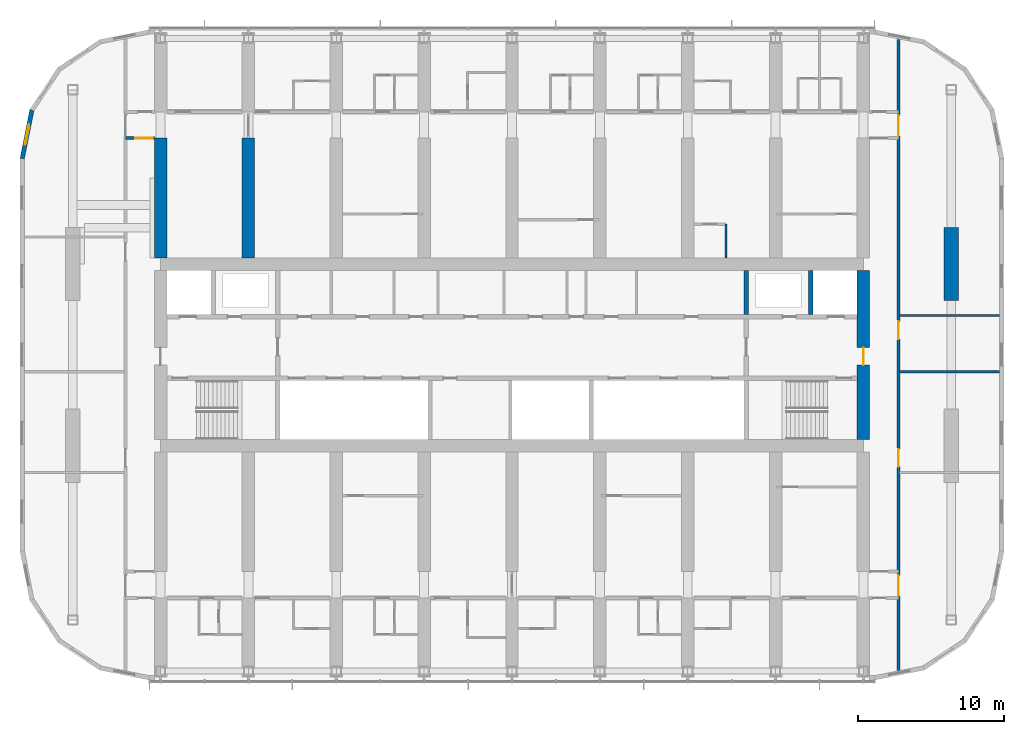
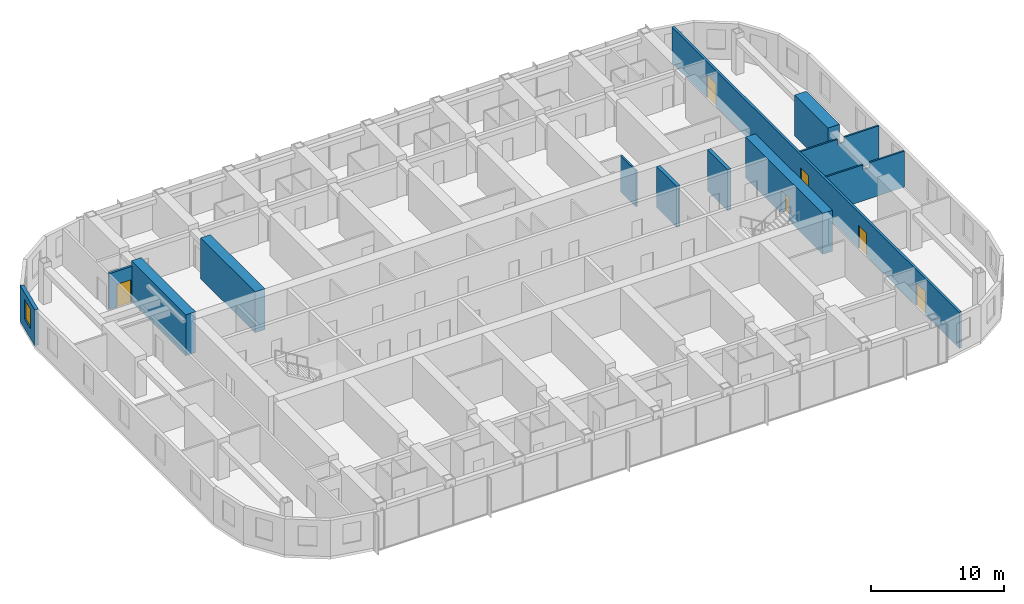
# One storey, part 14 of 22: 12 walls, 6 doors, 1 window, 7 openings.
"""IFC4 building model written with IfcOpenShell, lengths in metres."""

from ifc_helpers import new_model, si_unit, direction, frame, frame_2d, origin, place, context, subcontext, project, spatial, polyline, rectangle, outline, extrude, material, layer, layer_set, type_object, element, fill, save


model = new_model("IFC4")

# Units and contexts
model_context = context("Model", 3, precision=1e-05, world=origin(), true_north=direction((0.0, 1.0)))
body_context = subcontext(model_context, "Body", "Model", "MODEL_VIEW")
ifc_project = project(units=[si_unit("LENGTHUNIT", "METRE"), si_unit("AREAUNIT", "SQUARE_METRE"), si_unit("VOLUMEUNIT", "CUBIC_METRE"), si_unit("PLANEANGLEUNIT", "RADIAN"), si_unit("MASSUNIT", "GRAM", prefix="KILO")], contexts=[model_context])

# Site, building, storey
site_placement = place(None, origin())
site = spatial("IfcSite", under=ifc_project, at=site_placement, CompositionType="ELEMENT")
building_placement = place(site_placement, origin())
building = spatial("IfcBuilding", under=site, at=building_placement, Name="Orbita Commons", CompositionType="ELEMENT")
storey_placement = place(building_placement, frame((0.0, 0.0, 159.85009765625)))
storey = spatial("IfcBuildingStorey", under=building, at=storey_placement, Name="L39", CompositionType="ELEMENT", Elevation=159.85009765625)

# Walls
ifc_material_1 = material(Name="Concrete C50/60", Category="concrete")
ifc_layer_1 = layer(ifc_material_1, 0.300048828125)
ifc_layer_set_1 = layer_set([ifc_layer_1], Name="Concrete C50/60")
wall_type_1 = type_object("IfcWallType", Name="Core inner wall 300 C50/60", PredefinedType="SHEAR", material=ifc_layer_set_1)
for number, where, z_axis, x_axis, name in (
    (1, (62.39990234375, 34.75, 0.0), (0.0, 0.0, 1.0), (0.0, 1.0, 0.0), "Firefighting lift FL2 shaft wall L39"),
    (2, (58.0, 34.75, 0.0), (0.0, 0.0, 1.0), (0.0, 1.0, 0.0), "Riser wall east L39"),
):
    element("IfcWall", number, at=place(storey_placement, frame(where, z_axis=z_axis, x_axis=x_axis)), inside=storey, type_object=wall_type_1, Name=name, PredefinedType="SHEAR", context=body_context, shape_type="SweptSolid", body=[
        extrude(rectangle(XDim=3.02490234375, YDim=0.300048828125, at=frame_2d((1.512451171875, 0.0))), origin(), (0.0, 0.0, 1.0), 3.75),
    ])

# Wall, opening, door
ifc_material_2 = material(Name="Concrete C50/60", Category="concrete")
ifc_layer_2 = layer(ifc_material_2, 0.85009765625)
ifc_layer_set_2 = layer_set([ifc_layer_2], Name="Concrete C50/60")
wall_type_2 = type_object("IfcWallType", Name="Core wall 850 C50/60", PredefinedType="SHEAR", material=ifc_layer_set_2)
wall_1_placement = place(storey_placement, frame((66.0, 26.22509765625, 0.0), z_axis=(0.0, 0.0, 1.0), x_axis=(0.0, 1.0, 0.0)))
wall_1 = element("IfcWall", 3, at=wall_1_placement, inside=storey, type_object=wall_type_2, Name="Core end wall east L39", PredefinedType="SHEAR", context=body_context, shape_type="SweptSolid", body=[
    extrude(rectangle(XDim=11.5498046875, YDim=0.85009765625, at=frame_2d((5.77490234375, 0.0))), origin(), (0.0, 0.0, 1.0), 3.75),
])
opening_1_placement = place(wall_1_placement, frame((5.074951171875, 0.0, 0.0)))
opening_1 = element("IfcOpeningElement", 4, at=opening_1_placement, cuts=wall_1, Name="Opening D01", PredefinedType="OPENING", context=body_context, shape_type="SweptSolid", body=[
    extrude(rectangle(XDim=1.199951171875, YDim=2.10009765625, at=frame_2d((0.60009765625, 1.050048828125))), frame((0.0, 0.43505859375, 0.0), z_axis=(0.0, -1.0, 0.0), x_axis=(1.0, 0.0, 0.0)), (0.0, 0.0, 1.0), 0.8701171875),
])
ifc_material_3 = material(Name="Steel-faced fire door leaf", Category="steel")
door_type_1 = type_object("IfcDoorType", Name="Fire door 90 min 1200x2100", OperationType="SINGLE_SWING_LEFT", PredefinedType="DOOR", material=ifc_material_3)
door_1_placement = place(opening_1_placement, origin())
door_1 = element("IfcDoor", 5, at=door_1_placement, inside=storey, type_object=door_type_1, Name="Firefighting lobby east door", OperationType="SINGLE_SWING_LEFT", OverallHeight=2.10009765625, OverallWidth=1.199951171875, PredefinedType="DOOR", context=body_context, shape_type="SweptSolid", body=[
    extrude(rectangle(XDim=1.199951171875, YDim=2.10009765625, at=frame_2d((0.60009765625, 1.050048828125))), frame((0.0, 0.02490234375, 0.0), z_axis=(0.0, -1.0, 0.0), x_axis=(1.0, 0.0, 0.0)), (0.0, 0.0, 1.0), 0.050048828125),
])
fill(opening_1, door_1)

# Wall, openings, doors
ifc_material_4 = material(Name="Concrete blockwork", Category="masonry")
ifc_layer_3 = layer(ifc_material_4, 0.199951171875)
ifc_layer_set_3 = layer_set([ifc_layer_3], Name="Concrete blockwork")
wall_type_3 = type_object("IfcWallType", Name="Corridor wall 200 blockwork", PredefinedType="SOLIDWALL", material=ifc_layer_set_3)
wall_2_placement = place(storey_placement, frame((68.39990234375, 10.4462890625, 0.0), z_axis=(0.0, 0.0, 1.0), x_axis=(0.0, 1.0, 0.0)))
wall_2 = element("IfcWall", 6, at=wall_2_placement, inside=storey, type_object=wall_type_3, Name="Corridor wall 200 blockwork L39", PredefinedType="SOLIDWALL", context=body_context, shape_type="SweptSolid", body=[
    extrude(rectangle(XDim=43.107421875, YDim=0.199951171875, at=frame_2d((21.5537109375, 0.0))), origin(), (0.0, 0.0, 1.0), 3.2998046875),
])
opening_2_placement = place(wall_2_placement, frame((13.913818359375, 0.0, 0.0)))
opening_2 = element("IfcOpeningElement", 7, at=opening_2_placement, cuts=wall_2, Name="Opening D15", PredefinedType="OPENING", context=body_context, shape_type="SweptSolid", body=[
    extrude(rectangle(XDim=1.199951171875, YDim=2.10009765625, at=frame_2d((0.60009765625, 1.050048828125))), frame((0.0, 0.10986328125, 0.0), z_axis=(0.0, -1.0, 0.0), x_axis=(1.0, 0.0, 0.0)), (0.0, 0.0, 1.0), 0.219970703125),
])
opening_3_placement = place(wall_2_placement, frame((22.6337890625, 0.0, 0.0)))
opening_3 = element("IfcOpeningElement", 8, at=opening_3_placement, cuts=wall_2, Name="Opening D15", PredefinedType="OPENING", context=body_context, shape_type="SweptSolid", body=[
    extrude(rectangle(XDim=1.199951171875, YDim=2.10009765625, at=frame_2d((0.60009765625, 1.050048828125))), frame((0.0, 0.10986328125, 0.0), z_axis=(0.0, -1.0, 0.0), x_axis=(1.0, 0.0, 0.0)), (0.0, 0.0, 1.0), 0.219970703125),
])
opening_4_placement = place(wall_2_placement, frame((5.103759765625, 0.0, 0.0)))
opening_4 = element("IfcOpeningElement", 9, at=opening_4_placement, cuts=wall_2, Name="Opening D08", PredefinedType="OPENING", context=body_context, shape_type="SweptSolid", body=[
    extrude(rectangle(XDim=1.39990234375, YDim=2.10009765625, at=frame_2d((0.699951171875, 1.050048828125))), frame((0.0, 0.10986328125, 0.0), z_axis=(0.0, -1.0, 0.0), x_axis=(1.0, 0.0, 0.0)), (0.0, 0.0, 1.0), 0.219970703125),
])
opening_5_placement = place(wall_2_placement, frame((36.50390625, 0.0, 0.0)))
opening_5 = element("IfcOpeningElement", 10, at=opening_5_placement, cuts=wall_2, Name="Opening D08", PredefinedType="OPENING", context=body_context, shape_type="SweptSolid", body=[
    extrude(rectangle(XDim=1.39990234375, YDim=2.10009765625, at=frame_2d((0.699951171875, 1.050048828125))), frame((0.0, 0.10986328125, 0.0), z_axis=(0.0, -1.0, 0.0), x_axis=(1.0, 0.0, 0.0)), (0.0, 0.0, 1.0), 0.219970703125),
])
ifc_material_5 = material(Name="Steel-faced fire door leaf", Category="steel")
door_type_2 = type_object("IfcDoorType", Name="Corridor door 20 min 1200x2100", OperationType="SINGLE_SWING_LEFT", PredefinedType="DOOR", material=ifc_material_5)
door_2_placement = place(opening_2_placement, origin())
door_2 = element("IfcDoor", 11, at=door_2_placement, inside=storey, type_object=door_type_2, Name="Study hall door", OperationType="SINGLE_SWING_LEFT", OverallHeight=2.10009765625, OverallWidth=1.199951171875, PredefinedType="DOOR", context=body_context, shape_type="SweptSolid", body=[
    extrude(rectangle(XDim=1.199951171875, YDim=2.10009765625, at=frame_2d((0.60009765625, 1.050048828125))), frame((0.0, 0.02490234375, 0.0), z_axis=(0.0, -1.0, 0.0), x_axis=(1.0, 0.0, 0.0)), (0.0, 0.0, 1.0), 0.050048828125),
])
fill(opening_2, door_2)
door_3_placement = place(opening_3_placement, origin())
door_3 = element("IfcDoor", 12, at=door_3_placement, inside=storey, type_object=door_type_2, Name="Observatory lounge door", OperationType="SINGLE_SWING_LEFT", OverallHeight=2.10009765625, OverallWidth=1.199951171875, PredefinedType="DOOR", context=body_context, shape_type="SweptSolid", body=[
    extrude(rectangle(XDim=1.199951171875, YDim=2.10009765625, at=frame_2d((0.60009765625, 1.050048828125))), frame((0.0, 0.02490234375, 0.0), z_axis=(0.0, -1.0, 0.0), x_axis=(1.0, 0.0, 0.0)), (0.0, 0.0, 1.0), 0.050048828125),
])
fill(opening_3, door_3)
ifc_material_6 = material(Name="Steel-faced fire door leaf", Category="steel")
door_type_3 = type_object("IfcDoorType", Name="Double corridor door 20 min 1400x2100", OperationType="DOUBLE_DOOR_SINGLE_SWING", PredefinedType="DOOR", material=ifc_material_6)
door_4_placement = place(opening_4_placement, origin())
door_4 = element("IfcDoor", 13, at=door_4_placement, inside=storey, type_object=door_type_3, Name="Lounge doors", OperationType="DOUBLE_DOOR_SINGLE_SWING", OverallHeight=2.10009765625, OverallWidth=1.39990234375, PredefinedType="DOOR", context=body_context, shape_type="SweptSolid", body=[
    extrude(rectangle(XDim=1.39990234375, YDim=2.10009765625, at=frame_2d((0.699951171875, 1.050048828125))), frame((0.0, 0.02490234375, 0.0), z_axis=(0.0, -1.0, 0.0), x_axis=(1.0, 0.0, 0.0)), (0.0, 0.0, 1.0), 0.050048828125),
])
fill(opening_4, door_4)
door_5_placement = place(opening_5_placement, origin())
door_5 = element("IfcDoor", 14, at=door_5_placement, inside=storey, type_object=door_type_3, Name="Lounge doors", OperationType="DOUBLE_DOOR_SINGLE_SWING", OverallHeight=2.10009765625, OverallWidth=1.39990234375, PredefinedType="DOOR", context=body_context, shape_type="SweptSolid", body=[
    extrude(rectangle(XDim=1.39990234375, YDim=2.10009765625, at=frame_2d((0.699951171875, 1.050048828125))), frame((0.0, 0.02490234375, 0.0), z_axis=(0.0, -1.0, 0.0), x_axis=(1.0, 0.0, 0.0)), (0.0, 0.0, 1.0), 0.050048828125),
])
fill(opening_5, door_5)

# Wall, opening, door
ifc_material_7 = material(Name="Hollow concrete block 200", Category="concrete")
ifc_layer_4 = layer(ifc_material_7, 0.199951171875)
ifc_layer_set_4 = layer_set([ifc_layer_4], Name="Hollow concrete block 200")
wall_type_4 = type_object("IfcWallType", Name="Corridor wall 200 hollow concrete block", PredefinedType="SOLIDWALL", material=ifc_layer_set_4)
wall_3_placement = place(storey_placement, frame((15.60009765625, 46.800048828125, 0.0), z_axis=(0.0, 0.0, 1.0), x_axis=(1.0, 0.0, 0.0)))
wall_3 = element("IfcWall", 15, at=wall_3_placement, inside=storey, type_object=wall_type_4, Name="Corridor wall 200 hollow concrete block L39", PredefinedType="SOLIDWALL", context=body_context, shape_type="SweptSolid", body=[
    extrude(rectangle(XDim=1.974853515625, YDim=0.199951171875, at=frame_2d((0.9873046875, 0.0))), origin(), (0.0, 0.0, 1.0), 3.2998046875),
])
opening_6_placement = place(wall_3_placement, frame((0.675048828125, 0.0, 0.0)))
opening_6 = element("IfcOpeningElement", 16, at=opening_6_placement, cuts=wall_3, Name="Opening D12", PredefinedType="OPENING", context=body_context, shape_type="SweptSolid", body=[
    extrude(rectangle(XDim=1.199951171875, YDim=2.10009765625, at=frame_2d((0.60009765625, 1.050048828125))), frame((0.0, 0.10986328125, 0.0), z_axis=(0.0, -1.0, 0.0), x_axis=(1.0, 0.0, 0.0)), (0.0, 0.0, 1.0), 0.219970703125),
])
ifc_material_8 = material(Name="Steel-faced fire door leaf", Category="steel")
door_type_4 = type_object("IfcDoorType", Name="Double corridor door 20 min 1200x2100", OperationType="DOUBLE_DOOR_SINGLE_SWING", PredefinedType="DOOR", material=ifc_material_8)
door_6_placement = place(opening_6_placement, origin())
door_6 = element("IfcDoor", 17, at=door_6_placement, inside=storey, type_object=door_type_4, Name="Cross corridor doors", OperationType="DOUBLE_DOOR_SINGLE_SWING", OverallHeight=2.10009765625, OverallWidth=1.199951171875, PredefinedType="DOOR", context=body_context, shape_type="SweptSolid", body=[
    extrude(rectangle(XDim=1.199951171875, YDim=2.10009765625, at=frame_2d((0.60009765625, 1.050048828125))), frame((0.0, 0.02490234375, 0.0), z_axis=(0.0, -1.0, 0.0), x_axis=(1.0, 0.0, 0.0)), (0.0, 0.0, 1.0), 0.050048828125),
])
fill(opening_6, door_6)

# Walls
ifc_material_9 = material(Name="Concrete C50/60", Category="concrete")
ifc_layer_5 = layer(ifc_material_9, 0.85009765625)
ifc_layer_set_5 = layer_set([ifc_layer_5], Name="Concrete C50/60")
wall_type_5 = type_object("IfcWallType", Name="Cross wall 850 C50/60", PredefinedType="SHEAR", material=ifc_layer_set_5)
for number, where, z_axis, x_axis, name in (
    (18, (18.0, 38.625, 0.0), (0.0, 0.0, 1.0), (0.0, 1.0, 0.0), "Cross wall 4 north inner L39"),
    (19, (24.0, 38.625, 0.0), (0.0, 0.0, 1.0), (0.0, 1.0, 0.0), "Cross wall 5 north inner L39"),
):
    element("IfcWall", number, at=place(storey_placement, frame(where, z_axis=z_axis, x_axis=x_axis)), inside=storey, type_object=wall_type_5, Name=name, PredefinedType="SHEAR", context=body_context, shape_type="SweptSolid", body=[
        extrude(rectangle(XDim=8.175048828125, YDim=0.85009765625, at=frame_2d((4.08740234375, 0.0))), origin(), (0.0, 0.0, 1.0), 3.75),
    ])
ifc_material_10 = material(Name="Concrete C50/60", Category="concrete")
ifc_layer_6 = layer(ifc_material_10, 1.0)
ifc_layer_set_6 = layer_set([ifc_layer_6], Name="Concrete C50/60")
wall_type_6 = type_object("IfcWallType", Name="End pier 1000x5000 C50/60", PredefinedType="SHEAR", material=ifc_layer_set_6)
wall_4_placement = place(storey_placement, frame((72.0, 35.699951171875, 0.0), z_axis=(0.0, 0.0, 1.0), x_axis=(0.0, 1.0, 0.0)))
element("IfcWall", 20, at=wall_4_placement, inside=storey, type_object=wall_type_6, Name="End pier 13/D L39", PredefinedType="SHEAR", context=body_context, shape_type="SweptSolid", body=[
    extrude(rectangle(XDim=5.0, YDim=1.0, at=frame_2d((2.5, 0.0))), origin(), (0.0, 0.0, 1.0), 3.75),
])
ifc_material_11 = material(Name="Gypsum plasterboard on steel studs", Category="steel")
ifc_layer_7 = layer(ifc_material_11, 0.14990234375)
ifc_layer_set_7 = layer_set([ifc_layer_7], Name="Gypsum plasterboard on steel studs")
wall_type_7 = type_object("IfcWallType", Name="Partition 150 plasterboard", PredefinedType="PARTITIONING", material=ifc_layer_set_7)
wall_5_placement = place(storey_placement, frame((56.625, 40.925048828125, 0.0), z_axis=(0.0, 0.0, 1.0), x_axis=(0.0, -1.0, 0.0)))
element("IfcWall", 21, at=wall_5_placement, inside=storey, type_object=wall_type_7, Name="Partition 150 plasterboard L39", PredefinedType="PARTITIONING", context=body_context, shape_type="SweptSolid", body=[
    extrude(rectangle(XDim=2.300048828125, YDim=0.14990234375, at=frame_2d((1.14990234375, 0.0))), origin(), (0.0, 0.0, 1.0), 3.2998046875),
])
for number, where, z_axis, x_axis, name in (
    (22, (68.47509765625, 30.85009765625, 0.0), (0.0, 0.0, 1.0), (1.0, 0.0, 0.0), "Partition 150 plasterboard L39"),
    (23, (68.47509765625, 34.679931640625, 0.0), (0.0, 0.0, 1.0), (1.0, 0.0, 0.0), "Partition 150 plasterboard L39"),
):
    element("IfcWall", number, at=place(storey_placement, frame(where, z_axis=z_axis, x_axis=x_axis)), inside=storey, type_object=wall_type_7, Name=name, PredefinedType="PARTITIONING", context=body_context, shape_type="SweptSolid", body=[
        extrude(outline(polyline([(0.0, 0.0), (6.81982421875, 0.0), (6.820068359375, 3.2998046875), (3.826904296875, 3.2998046875), (3.824951171875, 2.849853515625), (3.22705078125, 2.849853515625), (3.22509765625, 3.2998046875), (0.0, 3.2998046875), (0.0, 0.0)])), frame((0.0, 0.074951171875, 0.0), z_axis=(0.0, -1.0, 0.0), x_axis=(1.0, 0.0, 0.0)), (0.0, 0.0, 1.0), 0.14990234375),
    ])

# Wall, opening, window
ifc_material_12 = material(Name="Precast concrete C40/50, white board-marked finish", Category="concrete")
ifc_layer_8 = layer(ifc_material_12, 0.300048828125)
ifc_layer_set_8 = layer_set([ifc_layer_8], Name="Precast concrete C40/50, white board-marked finish")
wall_type_8 = type_object("IfcWallType", Name="Precast concrete end shield 300", PredefinedType="SOLIDWALL", material=ifc_layer_set_8)
wall_6_placement = place(storey_placement, frame((9.20849609375, 48.710205078125, 0.0), z_axis=(0.0, 0.0, 1.0), x_axis=(-0.19508664885, -0.980786011034, 0.0)))
wall_6 = element("IfcWall", 24, at=wall_6_placement, inside=storey, type_object=wall_type_8, Name="End shield NW chord 4 L39", PredefinedType="SOLIDWALL", context=body_context, shape_type="SweptSolid", body=[
    extrude(outline(polyline([(-0.02978515625, -0.14990234375), (3.39013671875, -0.14990234375), (3.3603515625, 0.14990234375), (0.02978515625, 0.14990234375), (-0.02978515625, -0.14990234375)])), origin(), (0.0, 0.0, 1.0), 3.2998046875),
])
opening_7_placement = place(wall_6_placement, frame((0.987548828125, 0.0, 0.89990234375)))
opening_7 = element("IfcOpeningElement", 25, at=opening_7_placement, cuts=wall_6, Name="Opening W02", PredefinedType="OPENING", context=body_context, shape_type="SweptSolid", body=[
    extrude(rectangle(XDim=1.39990234375, YDim=1.800048828125, at=frame_2d((0.699951171875, 0.89990234375))), frame((0.0, 0.159912109375, 0.0), z_axis=(0.0, -1.0, 0.0), x_axis=(1.0, 0.0, 0.0)), (0.0, 0.0, 1.0), 0.320068359375),
])
ifc_material_13 = material(Name="Aluminium frame, clear double glazing", Category="aluminium")
window_type = type_object("IfcWindowType", Name="Deep-set window 1400x1800", PartitioningType="SINGLE_PANEL", PredefinedType="WINDOW", material=ifc_material_13)
window_placement = place(opening_7_placement, origin())
window = element("IfcWindow", 26, at=window_placement, inside=storey, type_object=window_type, Name="Window L39-NW3", OverallHeight=1.800048828125, OverallWidth=1.39990234375, PartitioningType="SINGLE_PANEL", PredefinedType="WINDOW", context=body_context, shape_type="SweptSolid", body=[
    extrude(rectangle(XDim=1.39990234375, YDim=1.800048828125, at=frame_2d((0.699951171875, 0.89990234375))), frame((0.0, 0.030029296875, 0.0), z_axis=(0.0, -1.0, 0.0), x_axis=(1.0, 0.0, 0.0)), (0.0, 0.0, 1.0), 0.06005859375),
])
fill(opening_7, window)

save(model, "model.ifc")
